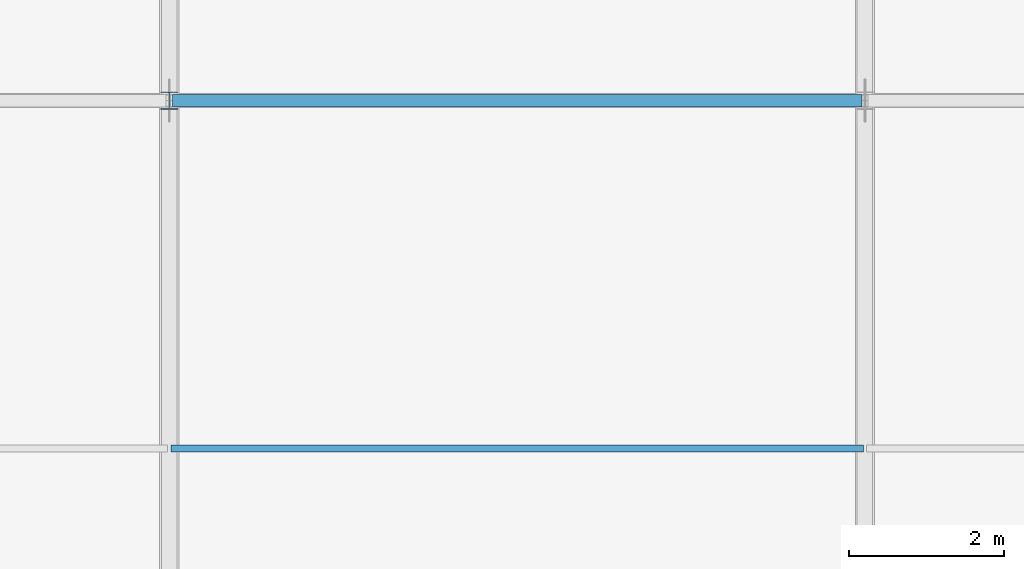
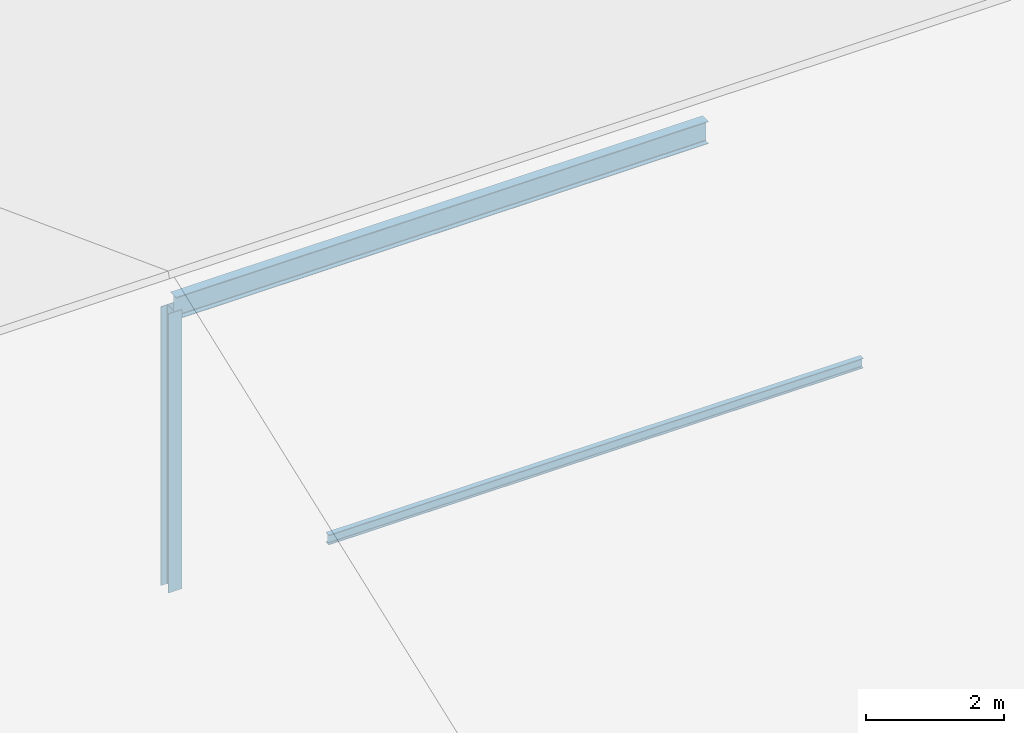
# One storey, part 37 of 163: 3 members.
"""IFC4 building model written with IfcOpenShell, lengths in metres."""

from ifc_helpers import new_model, si_unit, direction, frame, origin, origin_2d, place, context, subcontext, project, spatial, i_section, extrude, material, material_profile, profile_set, type_object, element, save


model = new_model("IFC4")

# Units and contexts
model_context = context("Model", 3, precision=1e-05, world=origin(), true_north=direction((0.0, 1.0)))
body_context = subcontext(model_context, "Body", "Model", "MODEL_VIEW")
ifc_project = project(units=[si_unit("LENGTHUNIT", "METRE"), si_unit("AREAUNIT", "SQUARE_METRE"), si_unit("VOLUMEUNIT", "CUBIC_METRE"), si_unit("PLANEANGLEUNIT", "RADIAN"), si_unit("MASSUNIT", "GRAM", prefix="KILO")], contexts=[model_context])

# Site, building, storey
site_placement = place(None, origin())
site = spatial("IfcSite", under=ifc_project, at=site_placement, CompositionType="ELEMENT")
building_placement = place(site_placement, origin())
building = spatial("IfcBuilding", under=site, at=building_placement, Name="Tharagai Park Tramway Depot", CompositionType="ELEMENT")
storey_placement = place(building_placement, frame((0.0, 0.0, 8.39990234375)))
storey = spatial("IfcBuildingStorey", under=building, at=storey_placement, Name="L02", CompositionType="ELEMENT", Elevation=8.39990234375)

# Members
ifc_material_1 = material(Name="Steel E350", Category="steel")
ifc_material_profile_1 = material_profile(ifc_material_1, i_section(OverallWidth=0.22509765625, OverallDepth=0.22509765625, WebThickness=0.008544921875, FlangeThickness=0.009033203125, FilletRadius=0.010009765625, at=origin_2d()), Name="ISHB 225")
ifc_profile_set_1 = profile_set([ifc_material_profile_1], Name="Steel E350")
member_type_1 = type_object("IfcMemberType", Name="BR-02", PredefinedType="BRACE", material=ifc_profile_set_1)
member_1_placement = place(storey_placement, frame((36.0, 76.5, -0.5), z_axis=(0.0, 0.0, 1.0), x_axis=(1.0, 0.0, 0.0)))
element("IfcMember", 1, at=member_1_placement, inside=storey, type_object=member_type_1, Name="V2B Gable King Strut BR-02", PredefinedType="BRACE", context=body_context, shape_type="SweptSolid", body=[
    extrude(i_section(OverallWidth=0.22509765625, OverallDepth=0.22509765625, WebThickness=0.008544921875, FlangeThickness=0.009033203125, FilletRadius=0.010009765625, at=origin_2d()), origin(), (0.0, 0.0, 1.0), 4.946044921875),
])
ifc_material_2 = material(Name="Steel E250", Category="steel")
ifc_material_profile_2 = material_profile(ifc_material_2, i_section(OverallWidth=0.090087890625, OverallDepth=0.175048828125, WebThickness=0.005615234375, FlangeThickness=0.009033203125, FilletRadius=0.010009765625, at=origin_2d()), Name="ISMB 175")
ifc_profile_set_2 = profile_set([ifc_material_profile_2], Name="Steel E250")
member_type_2 = type_object("IfcMemberType", Name="PR-01", PredefinedType="PURLIN", material=ifc_profile_set_2)
member_2_placement = place(storey_placement, frame((36.02001953125, 72.0, 3.0810546875), z_axis=(1.0, 0.0, 0.0), x_axis=(0.0, 1.0, 0.0)))
element("IfcMember", 2, at=member_2_placement, inside=storey, type_object=member_type_2, Name="V2B Roof Purlin PR-01", PredefinedType="PURLIN", context=body_context, shape_type="SweptSolid", body=[
    extrude(i_section(OverallWidth=0.090087890625, OverallDepth=0.175048828125, WebThickness=0.005615234375, FlangeThickness=0.009033203125, FilletRadius=0.010009765625, at=origin_2d()), origin(), (0.0, 0.0, 1.0), 8.9599609375),
])
ifc_material_profile_3 = material_profile(ifc_material_1, i_section(OverallWidth=0.1650390625, OverallDepth=0.39990234375, WebThickness=0.008056640625, FlangeThickness=0.012451171875, FilletRadius=0.013916015625, at=origin_2d()), Name="ISLB 400")
ifc_profile_set_3 = profile_set([ifc_material_profile_3], Name="Steel E350")
member_type_3 = type_object("IfcMemberType", Name="TC-04", PredefinedType="CHORD", material=ifc_profile_set_3)
member_3_placement = place(storey_placement, frame((36.0400390625, 76.5, 4.470947265625), z_axis=(1.0, 0.0, 0.0), x_axis=(0.0, 1.0, 0.0)))
element("IfcMember", 3, at=member_3_placement, inside=storey, type_object=member_type_3, Name="V2B Roof Ridge Chord TC-04", PredefinedType="CHORD", context=body_context, shape_type="SweptSolid", body=[
    extrude(i_section(OverallWidth=0.1650390625, OverallDepth=0.39990234375, WebThickness=0.008056640625, FlangeThickness=0.012451171875, FilletRadius=0.013916015625, at=origin_2d()), origin(), (0.0, 0.0, 1.0), 8.919921875),
])

save(model, "model.ifc")
